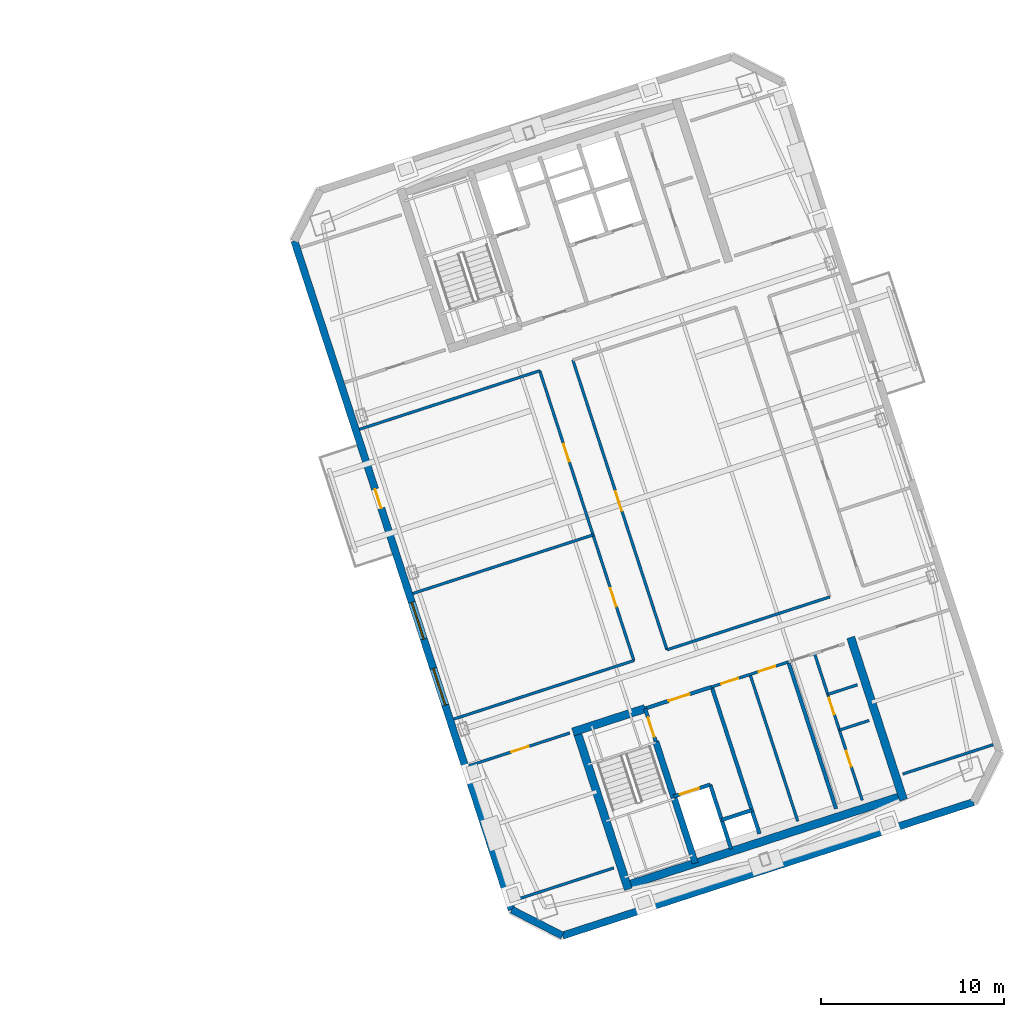
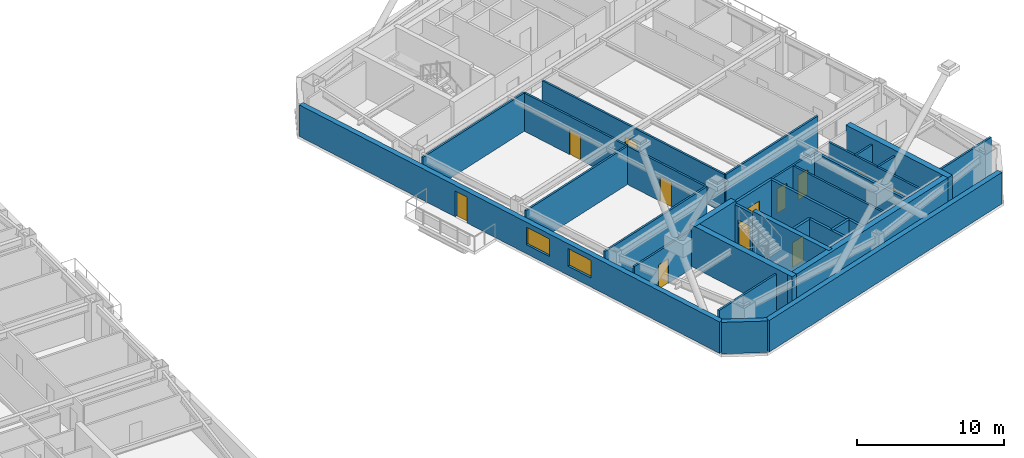
# One storey, part 9 of 16: 29 walls, 12 doors, 2 windows, 14 openings.
"""IFC4 building model written with IfcOpenShell, lengths in metres."""

import ifcopenshell
import ifcopenshell.guid

model = None  # the IFC model being written
_history = None  # IfcOwnerHistory: only IFC2X3 demands one
_inside = {}  # id of a spatial element -> (the spatial element, [elements in it])
_under = {}  # id of a project, library or spatial element -> (it, [spatial elements below it])
_declared = {}  # id of a project -> (the project, [libraries it declares])
_typed = {}  # id of a type object -> (the type object, [elements of that type])
_made_of = {}  # id of a material, layer set ... -> (it, [elements and type objects made of it])


def new_model(schema):
    """Start an empty IFC model of exactly this schema.

    Asked for "IFC4X3", IfcOpenShell would pick the latest addendum, in which some entities
    have other attributes; the version numbers below select the first issue.
    IFC2X3 requires an IfcOwnerHistory on every rooted entity: one is made here for all.
    """
    global model, _history
    if schema == "IFC4X3":
        model = ifcopenshell.file(schema_version=(4, 3, 0, 0))
    else:
        model = ifcopenshell.file(schema=schema)
    _inside.clear()
    _under.clear()
    _declared.clear()
    _typed.clear()
    _made_of.clear()
    _history = None
    if model.schema == "IFC2X3":
        org = make("IfcOrganization", Name="unknown")
        user = make(
            "IfcPersonAndOrganization",
            ThePerson=make("IfcPerson", FamilyName="unknown"),
            TheOrganization=org,
        )
        app = make(
            "IfcApplication",
            ApplicationDeveloper=org,
            Version="unknown",
            ApplicationFullName="unknown",
            ApplicationIdentifier="unknown",
        )
        _history = make(
            "IfcOwnerHistory",
            OwningUser=user,
            OwningApplication=app,
            ChangeAction="ADDED",
            CreationDate=0,
        )
    return model


def make(cls, **values):
    """One entity of the class cls with the attributes given. An attribute that is None is left unset."""
    return model.create_entity(
        cls, **{name: value for name, value in values.items() if value is not None}
    )


def rooted(cls, **values):
    """An entity with a GlobalId (a new one), such as an element, a storey or a relation."""
    return make(cls, GlobalId=ifcopenshell.guid.new(), OwnerHistory=_history, **values)


def si_unit(unit_type, name, prefix=None):
    """IfcSIUnit, for example si_unit("LENGTHUNIT", "METRE", prefix="MILLI")."""
    return make("IfcSIUnit", UnitType=unit_type, Prefix=prefix, Name=name)


def assignment(units):
    """IfcUnitAssignment: the units of a project."""
    return None if units is None else make("IfcUnitAssignment", Units=units)


def point(xyz):
    """IfcCartesianPoint."""
    return None if xyz is None else make("IfcCartesianPoint", Coordinates=xyz)


def direction(xyz):
    """IfcDirection."""
    return None if xyz is None else make("IfcDirection", DirectionRatios=xyz)


def frame(location, z_axis=None, x_axis=None):
    """IfcAxis2Placement3D, a coordinate frame: its origin and axes. An axis left out is left unset."""
    return make(
        "IfcAxis2Placement3D",
        Location=point(location),
        Axis=direction(z_axis),
        RefDirection=direction(x_axis),
    )


def frame_2d(location, x_axis=None):
    """IfcAxis2Placement2D, a coordinate frame in the plane: its origin and x axis."""
    return make(
        "IfcAxis2Placement2D", Location=point(location), RefDirection=direction(x_axis)
    )


def origin():
    """The frame at (0, 0, 0) with its axes left unset."""
    return frame((0.0, 0.0, 0.0))


def place(relative_to, where):
    """IfcLocalPlacement: puts the frame where relative to a parent placement (None: the world)."""
    return make(
        "IfcLocalPlacement", PlacementRelTo=relative_to, RelativePlacement=where
    )


def context(
    kind, dimensions, precision=None, world=None, true_north=None, identifier=None
):
    """IfcGeometricRepresentationContext, for example the 3D "Model" context."""
    return make(
        "IfcGeometricRepresentationContext",
        ContextIdentifier=identifier,
        ContextType=kind,
        CoordinateSpaceDimension=dimensions,
        Precision=precision,
        WorldCoordinateSystem=world,
        TrueNorth=true_north,
    )


def subcontext(parent, identifier, kind, view, scale=None):
    """IfcGeometricRepresentationSubContext, for example "Body" below "Model"."""
    return make(
        "IfcGeometricRepresentationSubContext",
        ContextIdentifier=identifier,
        ContextType=kind,
        ParentContext=parent,
        TargetScale=scale,
        TargetView=view,
    )


def project(units=None, contexts=None):
    """IfcProject with its units and contexts."""
    return rooted(
        "IfcProject",
        Name="project",
        RepresentationContexts=contexts,
        UnitsInContext=assignment(units),
    )


def spatial(cls, under=None, at=None, **own):
    """A site, building, storey or space (cls), placed at a placement, below another one or the project."""
    s = rooted(cls, ObjectPlacement=at, **own)
    if under is not None:
        _under.setdefault(under.id(), (under, []))[1].append(s)
    return s


def profile(cls, at=None, kind="AREA", **sizes):
    """A parametric profile (cls). Its sizes go by their IFC names, for example OverallWidth=200.0."""
    return make(cls, ProfileType=kind, Position=at, **sizes)


def rectangle(**sizes):
    """IfcRectangleProfileDef."""
    return profile("IfcRectangleProfileDef", **sizes)


def extrude(swept, where, along, depth):
    """IfcExtrudedAreaSolid: the profile swept, set in the frame where, extruded along a direction by depth."""
    return make(
        "IfcExtrudedAreaSolid",
        SweptArea=swept,
        Position=where,
        ExtrudedDirection=direction(along),
        Depth=depth,
    )


def shape(context_of_items, identifier, shape_type, items):
    """IfcShapeRepresentation: the items that make up one representation, for example the "Body"."""
    return make(
        "IfcShapeRepresentation",
        ContextOfItems=context_of_items,
        RepresentationIdentifier=identifier,
        RepresentationType=shape_type,
        Items=items,
    )


def material(Name=None, Category=None):
    """IfcMaterial."""
    return make("IfcMaterial", Name=Name, Category=Category)


def layer(
    of_material, thickness, ventilated=None, Name=None, Category=None, Priority=None
):
    """IfcMaterialLayer: one layer of a wall or slab, of a material (None: an air gap)."""
    return make(
        "IfcMaterialLayer",
        Material=of_material,
        LayerThickness=thickness,
        IsVentilated=ventilated,
        Name=Name,
        Category=Category,
        Priority=Priority,
    )


def layer_set(layers, Name=None):
    """IfcMaterialLayerSet."""
    return make("IfcMaterialLayerSet", MaterialLayers=layers, LayerSetName=Name)


def made_of(thing, what):
    """Note that an element or type object is made of a material, layer set ...; save() writes the relation."""
    if what is not None:
        _made_of.setdefault(what.id(), (what, []))[1].append(thing)
    return thing


def type_object(cls, material=None, **own):
    """A type object (cls), such as IfcWallType, which elements share."""
    return made_of(rooted(cls, **own), material)


def element(
    cls,
    number,
    at=None,
    inside=None,
    cuts=None,
    type_object=None,
    material=None,
    context=None,
    identifier="Body",
    shape_type=None,
    held_by="IfcProductDefinitionShape",
    body=None,
    shapes=None,
    **own,
):
    """One element of the class cls, such as IfcWall. Its Tag is "e" and its number.

    at: its placement. inside: the storey or other place that contains it. cuts: it is an
    opening in that element (IfcRelVoidsElement). A single representation is given by context,
    identifier, shape_type and body (its items); several are given by shapes. held_by: the class
    of the entity that holds the representations. save() writes the other relations.
    """
    e = rooted(cls, Tag="e%d" % number, ObjectPlacement=at, **own)
    if body is not None:
        shapes = [shape(context, identifier, shape_type, body)]
    if shapes is not None:
        e.Representation = make(held_by, Representations=shapes)
    if inside is not None:
        _inside.setdefault(inside.id(), (inside, []))[1].append(e)
    if cuts is not None:
        rooted(
            "IfcRelVoidsElement", RelatingBuildingElement=cuts, RelatedOpeningElement=e
        )
    if type_object is not None:
        _typed.setdefault(type_object.id(), (type_object, []))[1].append(e)
    return made_of(e, material)


def fill(opening, filler):
    """IfcRelFillsElement: the door or window that sits in an opening."""
    return rooted(
        "IfcRelFillsElement",
        RelatingOpeningElement=opening,
        RelatedBuildingElement=filler,
    )


def aggregate(whole, parts):
    """IfcRelAggregates: a whole, such as a stair, and the parts it consists of."""
    return rooted("IfcRelAggregates", RelatingObject=whole, RelatedObjects=parts)


def save(model, path):
    """Write the relations noted so far, then the file.

    IfcRelAggregates (storeys below a building ...), IfcRelContainedInSpatialStructure (elements
    in a storey), IfcRelDefinesByType, IfcRelAssociatesMaterial and IfcRelDeclares: one each for
    every whole, place, type object, material and project.
    """
    for whole, parts in _under.values():
        aggregate(whole, parts)
    for where, things in _inside.values():
        rooted(
            "IfcRelContainedInSpatialStructure",
            RelatedElements=things,
            RelatingStructure=where,
        )
    for kind, things in _typed.values():
        rooted("IfcRelDefinesByType", RelatedObjects=things, RelatingType=kind)
    for what, things in _made_of.values():
        rooted("IfcRelAssociatesMaterial", RelatedObjects=things, RelatingMaterial=what)
    for by, libraries in _declared.values():
        rooted("IfcRelDeclares", RelatingContext=by, RelatedDefinitions=libraries)
    model.write(path)


model = new_model("IFC4")

# Units and contexts
model_context = context("Model", 3, precision=1e-05, world=origin(), true_north=direction((0.0, 1.0)))
body_context = subcontext(model_context, "Body", "Model", "MODEL_VIEW")
ifc_project = project(units=[si_unit("LENGTHUNIT", "METRE"), si_unit("AREAUNIT", "SQUARE_METRE"), si_unit("VOLUMEUNIT", "CUBIC_METRE"), si_unit("PLANEANGLEUNIT", "RADIAN"), si_unit("MASSUNIT", "GRAM", prefix="KILO")], contexts=[model_context])

# Site, building, storey
site_placement = place(None, origin())
site = spatial("IfcSite", under=ifc_project, at=site_placement, CompositionType="ELEMENT")
building_placement = place(site_placement, origin())
building = spatial("IfcBuilding", under=site, at=building_placement, Name="Qiaolan Cultural Towers", CompositionType="ELEMENT")
storey_placement = place(building_placement, frame((0.0, 0.0, 198.949951171875)))
storey = spatial("IfcBuildingStorey", under=building, at=storey_placement, Name="L53", CompositionType="ELEMENT", Elevation=198.949951171875)

# Walls
ifc_material_1 = material(Name="Concrete C50", Category="concrete")
ifc_layer_1 = layer(ifc_material_1, 0.35009765625)
ifc_layer_set_1 = layer_set([ifc_layer_1], Name="Concrete C50")
wall_type_1 = type_object("IfcWallType", Name="WL-CORE-350", PredefinedType="SHEAR", material=ifc_layer_set_1)
wall_1_placement = place(storey_placement, frame((90.486328125, 20.59423828125, 0.0), z_axis=(0.0, 0.0, 1.0), x_axis=(0.309020428229, -0.951055400562, 0.0)))
element("IfcWall", 1, at=wall_1_placement, inside=storey, type_object=wall_type_1, Name="L53 T2-CS Stair Core Dividing Web", PredefinedType="SHEAR", context=body_context, shape_type="SweptSolid", body=[
    extrude(rectangle(XDim=6.97998046875, YDim=0.35009765625, at=frame_2d((3.489990234375, 0.0))), origin(), (0.0, 0.0, 1.0), 3.449951171875),
])
ifc_material_2 = material(Name="Concrete C50", Category="concrete")
ifc_layer_2 = layer(ifc_material_2, 0.449951171875)
ifc_layer_set_2 = layer_set([ifc_layer_2], Name="Concrete C50")
wall_type_2 = type_object("IfcWallType", Name="WL-CORE-450", PredefinedType="SHEAR", material=ifc_layer_set_2)
wall_2_placement = place(storey_placement, frame((88.701171875, 12.675048828125, 0.0), z_axis=(0.0, 0.0, 1.0), x_axis=(0.95105824505, 0.309011673763, 0.0)))
element("IfcWall", 2, at=wall_2_placement, inside=storey, type_object=wall_type_2, Name="L53 T2-CS Outer Core Shear Wall", PredefinedType="SHEAR", context=body_context, shape_type="SweptSolid", body=[
    extrude(rectangle(XDim=16.250244140625, YDim=0.449951171875, at=frame_2d((8.125, 0.0))), origin(), (0.0, 0.0, 1.0), 3.449951171875),
])
for number, where, z_axis, x_axis, name in (
    (3, (86.1015625, 21.40380859375, 0.0), (0.0, 0.0, 1.0), (0.309035778627, -0.951050412717, 0.0), "L53 T2-CS West Core Shear Wall"),
    (4, (101.12841796875, 26.286376953125, 0.0), (0.0, 0.0, 1.0), (0.309004419953, -0.951060601881, 0.0), "L53 T2-CS East Core Shear Wall"),
):
    element("IfcWall", number, at=place(storey_placement, frame(where, z_axis=z_axis, x_axis=x_axis)), inside=storey, type_object=wall_type_2, Name=name, PredefinedType="SHEAR", context=body_context, shape_type="SweptSolid", body=[
        extrude(rectangle(XDim=9.330078125, YDim=0.449951171875, at=frame_2d((4.6650390625, 0.0))), origin(), (0.0, 0.0, 1.0), 3.449951171875),
    ])
wall_3_placement = place(storey_placement, frame((85.957275390625, 21.120361328125, 0.0), z_axis=(0.0, 0.0, 1.0), x_axis=(0.951064796122, 0.308991510526, 0.0)))
element("IfcWall", 5, at=wall_3_placement, inside=storey, type_object=wall_type_2, Name="L53 T2-CS Stair Front Shear Wall", PredefinedType="SHEAR", context=body_context, shape_type="SweptSolid", body=[
    extrude(rectangle(XDim=4.14501953125, YDim=0.449951171875, at=frame_2d((2.072509765625, 0.0))), origin(), (0.0, 0.0, 1.0), 3.449951171875),
])

# Wall, openings, door, windows
ifc_material_3 = material(Name="Precast Concrete C50 Honed Stone Pier", Category="masonry")
ifc_layer_3 = layer(ifc_material_3, 0.39990234375)
ifc_layer_set_3 = layer_set([ifc_layer_3], Name="Precast Concrete C50 Honed Stone Pier")
wall_type_3 = type_object("IfcWallType", Name="WL-EXT-PIER-400", PredefinedType="SOLIDWALL", material=ifc_layer_set_3)
wall_4_placement = place(storey_placement, frame((82.618408203125, 11.41357421875, 0.0), z_axis=(0.0, 0.0, 1.0), x_axis=(-0.309016491071, 0.951056679828, 0.0)))
wall_4 = element("IfcWall", 6, at=wall_4_placement, inside=storey, type_object=wall_type_3, Name="L53 East Tower Precast Pier Facade Wall F1", PredefinedType="SOLIDWALL", context=body_context, shape_type="SweptSolid", body=[
    extrude(rectangle(XDim=38.39990234375, YDim=0.39990234375, at=frame_2d((19.199951171875, 0.0))), origin(), (0.0, 0.0, 1.0), 2.610107421875),
])
opening_1_placement = place(wall_4_placement, frame((11.75, 0.0, 0.75)))
opening_1 = element("IfcOpeningElement", 7, at=opening_1_placement, cuts=wall_4, Name="Opening W-05", PredefinedType="OPENING", context=body_context, shape_type="SweptSolid", body=[
    extrude(rectangle(XDim=2.10009765625, YDim=1.4599609375, at=frame_2d((1.050048828125, 0.72998046875))), frame((0.0, 0.2099609375, 0.0), z_axis=(0.0, -1.0, 0.0), x_axis=(1.0, 0.0, 0.0)), (0.0, 0.0, 1.0), 0.419921875),
])
opening_2_placement = place(wall_4_placement, frame((15.550048828125, 0.0, 0.75)))
opening_2 = element("IfcOpeningElement", 8, at=opening_2_placement, cuts=wall_4, Name="Opening W-05", PredefinedType="OPENING", context=body_context, shape_type="SweptSolid", body=[
    extrude(rectangle(XDim=2.10009765625, YDim=1.4599609375, at=frame_2d((1.050048828125, 0.72998046875))), frame((0.0, 0.2099609375, 0.0), z_axis=(0.0, -1.0, 0.0), x_axis=(1.0, 0.0, 0.0)), (0.0, 0.0, 1.0), 0.419921875),
])
opening_3_placement = place(wall_4_placement, frame((23.050048828125, 0.0, 0.0)))
opening_3 = element("IfcOpeningElement", 9, at=opening_3_placement, cuts=wall_4, Name="Opening BD-01", PredefinedType="OPENING", context=body_context, shape_type="SweptSolid", body=[
    extrude(rectangle(XDim=1.10009765625, YDim=2.14990234375, at=frame_2d((0.550048828125, 1.074951171875))), frame((0.0, 0.2099609375, 0.0), z_axis=(0.0, -1.0, 0.0), x_axis=(1.0, 0.0, 0.0)), (0.0, 0.0, 1.0), 0.419921875),
])
ifc_material_4 = material(Name="Thermally Broken Aluminium Glazed Terrace Door", Category="aluminium")
door_type_1 = type_object("IfcDoorType", Name="DR-BAL-1100", OperationType="NOTDEFINED", PredefinedType="DOOR", material=ifc_material_4)
door_1_placement = place(opening_3_placement, origin())
door_1 = element("IfcDoor", 10, at=door_1_placement, inside=storey, type_object=door_type_1, Name="L53 T2 West Tree Balcony Door", OperationType="SINGLE_SWING_LEFT", OverallHeight=2.14990234375, OverallWidth=1.10009765625, PredefinedType="DOOR", context=body_context, shape_type="SweptSolid", body=[
    extrude(rectangle(XDim=1.10009765625, YDim=2.14990234375, at=frame_2d((0.550048828125, 1.074951171875))), frame((0.0, 0.02490234375, 0.0), z_axis=(0.0, -1.0, 0.0), x_axis=(1.0, 0.0, 0.0)), (0.0, 0.0, 1.0), 0.050048828125),
])
fill(opening_3, door_1)
ifc_material_5 = material(Name="Thermally Broken Aluminium Triple Low-E Glazing", Category="aluminium")
window_type = type_object("IfcWindowType", Name="WN-CHIC-2100", PartitioningType="SINGLE_PANEL", PredefinedType="WINDOW", material=ifc_material_5)
window_1_placement = place(opening_1_placement, origin())
window_1 = element("IfcWindow", 11, at=window_1_placement, inside=storey, type_object=window_type, Name="L53 T2 W Chicago Bay Window 1", OverallHeight=1.4599609375, OverallWidth=2.10009765625, PartitioningType="TRIPLE_PANEL_VERTICAL", PredefinedType="WINDOW", context=body_context, shape_type="SweptSolid", body=[
    extrude(rectangle(XDim=2.10009765625, YDim=1.4599609375, at=frame_2d((1.050048828125, 0.72998046875))), frame((0.0, 0.030029296875, 0.0), z_axis=(0.0, -1.0, 0.0), x_axis=(1.0, 0.0, 0.0)), (0.0, 0.0, 1.0), 0.06005859375),
])
fill(opening_1, window_1)
window_2_placement = place(opening_2_placement, origin())
window_2 = element("IfcWindow", 12, at=window_2_placement, inside=storey, type_object=window_type, Name="L53 T2 W Chicago Bay Window 2", OverallHeight=1.4599609375, OverallWidth=2.10009765625, PartitioningType="TRIPLE_PANEL_VERTICAL", PredefinedType="WINDOW", context=body_context, shape_type="SweptSolid", body=[
    extrude(rectangle(XDim=2.10009765625, YDim=1.4599609375, at=frame_2d((1.050048828125, 0.72998046875))), frame((0.0, 0.030029296875, 0.0), z_axis=(0.0, -1.0, 0.0), x_axis=(1.0, 0.0, 0.0)), (0.0, 0.0, 1.0), 0.06005859375),
])
fill(opening_2, window_2)

# Walls
wall_5_placement = place(storey_placement, frame((107.83544921875, 17.293701171875, 0.0), z_axis=(0.0, 0.0, 1.0), x_axis=(-0.951058012937, -0.309012388148, 0.0)))
element("IfcWall", 13, at=wall_5_placement, inside=storey, type_object=wall_type_3, Name="L53 East Tower Precast Pier Facade Wall F7", PredefinedType="SOLIDWALL", context=body_context, shape_type="SweptSolid", body=[
    extrude(rectangle(XDim=23.60009765625, YDim=0.39990234375, at=frame_2d((11.800048828125, 0.0))), origin(), (0.0, 0.0, 1.0), 2.610107421875),
])
wall_6_placement = place(storey_placement, frame((85.390380859375, 10.0009765625, 0.0), z_axis=(0.0, 0.0, 1.0), x_axis=(-0.890979603174, 0.454043331334, 0.0)))
element("IfcWall", 14, at=wall_6_placement, inside=storey, type_object=wall_type_3, Name="L53 East Tower Precast Pier Facade Wall F8", PredefinedType="SOLIDWALL", context=body_context, shape_type="SweptSolid", body=[
    extrude(rectangle(XDim=3.111083984375, YDim=0.39990234375, at=frame_2d((1.5556640625, 0.0))), origin(), (0.0, 0.0, 1.0), 2.610107421875),
])

# Wall, opening, door
ifc_material_6 = material(Name="Concrete C35 Fire Wall", Category="concrete")
ifc_layer_4 = layer(ifc_material_6, 0.199951171875)
ifc_layer_set_4 = layer_set([ifc_layer_4], Name="Concrete C35 Fire Wall")
wall_type_4 = type_object("IfcWallType", Name="WL-FIRE-200", PredefinedType="PARTITIONING", material=ifc_layer_set_4)
wall_7_placement = place(storey_placement, frame((89.8994140625, 22.401123046875, 0.0), z_axis=(0.0, 0.0, 1.0), x_axis=(0.308932062672, -0.951084108086, 0.0)))
wall_7 = element("IfcWall", 15, at=wall_7_placement, inside=storey, type_object=wall_type_4, Name="L53 T2-CS Smokeproof Stair Entry Wall", PredefinedType="PARTITIONING", context=body_context, shape_type="SweptSolid", body=[
    extrude(rectangle(XDim=1.89990234375, YDim=0.199951171875, at=frame_2d((0.949951171875, 0.0))), origin(), (0.0, 0.0, 1.0), 3.175048828125),
])
opening_4_placement = place(wall_7_placement, frame((0.52001953125, 0.0, 0.0)))
opening_4 = element("IfcOpeningElement", 16, at=opening_4_placement, cuts=wall_7, Name="Opening FD-04", PredefinedType="OPENING", context=body_context, shape_type="SweptSolid", body=[
    extrude(rectangle(XDim=1.10009765625, YDim=2.050048828125, at=frame_2d((0.550048828125, 1.02490234375))), frame((0.0, 0.10986328125, 0.0), z_axis=(0.0, -1.0, 0.0), x_axis=(1.0, 0.0, 0.0)), (0.0, 0.0, 1.0), 0.219970703125),
])
ifc_material_7 = material(Name="Galvanized Steel Command Fire Door", Category="steel")
door_type_2 = type_object("IfcDoorType", Name="DR-FD90-1100", OperationType="NOTDEFINED", PredefinedType="DOOR", material=ifc_material_7)
door_2_placement = place(opening_4_placement, origin())
door_2 = element("IfcDoor", 17, at=door_2_placement, inside=storey, type_object=door_type_2, Name="L53 ST-E1 Smokeproof Stair Fire Door", OperationType="SINGLE_SWING_LEFT", OverallHeight=2.050048828125, OverallWidth=1.10009765625, PredefinedType="DOOR", context=body_context, shape_type="SweptSolid", body=[
    extrude(rectangle(XDim=1.10009765625, YDim=2.050048828125, at=frame_2d((0.550048828125, 1.02490234375))), frame((0.0, 0.02490234375, 0.0), z_axis=(0.0, -1.0, 0.0), x_axis=(1.0, 0.0, 0.0)), (0.0, 0.0, 1.0), 0.050048828125),
])
fill(opening_4, door_2)

# Wall
wall_8_placement = place(storey_placement, frame((93.541748046875, 23.584716796875, 0.0), z_axis=(0.0, 0.0, 1.0), x_axis=(0.309042196757, -0.951048327176, 0.0)))
element("IfcWall", 18, at=wall_8_placement, inside=storey, type_object=wall_type_4, Name="L53 T2-CS Firefighting Zone Wall", PredefinedType="PARTITIONING", context=body_context, shape_type="SweptSolid", body=[
    extrude(rectangle(XDim=8.429931640625, YDim=0.199951171875, at=frame_2d((4.21484375, 0.0))), origin(), (0.0, 0.0, 1.0), 3.175048828125),
])

# Wall, opening, door
wall_9_placement = place(storey_placement, frame((89.8994140625, 22.401123046875, 0.0), z_axis=(0.0, 0.0, 1.0), x_axis=(0.951046716504, 0.309047153403, 0.0)))
wall_9 = element("IfcWall", 19, at=wall_9_placement, inside=storey, type_object=wall_type_4, Name="L53 T2-CS Firefighting Lobby Front Wall", PredefinedType="PARTITIONING", context=body_context, shape_type="SweptSolid", body=[
    extrude(rectangle(XDim=3.829833984375, YDim=0.199951171875, at=frame_2d((1.9150390625, 0.0))), origin(), (0.0, 0.0, 1.0), 3.175048828125),
])
opening_5_placement = place(wall_9_placement, frame((1.35009765625, 0.0, 0.0)))
opening_5 = element("IfcOpeningElement", 20, at=opening_5_placement, cuts=wall_9, Name="Opening FD-03", PredefinedType="OPENING", context=body_context, shape_type="SweptSolid", body=[
    extrude(rectangle(XDim=1.199951171875, YDim=2.050048828125, at=frame_2d((0.60009765625, 1.02490234375))), frame((0.0, 0.10986328125, 0.0), z_axis=(0.0, -1.0, 0.0), x_axis=(1.0, 0.0, 0.0)), (0.0, 0.0, 1.0), 0.219970703125),
])
ifc_material_8 = material(Name="Galvanized Steel Smokeproof Lobby Fire Door", Category="steel")
door_type_3 = type_object("IfcDoorType", Name="DR-FD90-1200", OperationType="NOTDEFINED", PredefinedType="DOOR", material=ifc_material_8)
door_3_placement = place(opening_5_placement, origin())
door_3 = element("IfcDoor", 21, at=door_3_placement, inside=storey, type_object=door_type_3, Name="L53 FFL-E1 Firefighting Lobby Fire Door", OperationType="SINGLE_SWING_LEFT", OverallHeight=2.050048828125, OverallWidth=1.199951171875, PredefinedType="DOOR", context=body_context, shape_type="SweptSolid", body=[
    extrude(rectangle(XDim=1.199951171875, YDim=2.050048828125, at=frame_2d((0.60009765625, 1.02490234375))), frame((0.0, 0.02490234375, 0.0), z_axis=(0.0, -1.0, 0.0), x_axis=(1.0, 0.0, 0.0)), (0.0, 0.0, 1.0), 0.050048828125),
])
fill(opening_5, door_3)

wall_10_placement = place(storey_placement, frame((91.459716796875, 17.598388671875, 0.0), z_axis=(0.0, 0.0, 1.0), x_axis=(0.951062257173, 0.308999325213, 0.0)))
wall_10 = element("IfcWall", 22, at=wall_10_placement, inside=storey, type_object=wall_type_4, Name="L53 T2-CS Firefighting Shaft Front Wall", PredefinedType="PARTITIONING", context=body_context, shape_type="SweptSolid", body=[
    extrude(rectangle(XDim=2.10009765625, YDim=0.199951171875, at=frame_2d((1.050048828125, 0.0))), origin(), (0.0, 0.0, 1.0), 3.175048828125),
])
opening_6_placement = place(wall_10_placement, frame((0.35009765625, 0.0, 0.0)))
opening_6 = element("IfcOpeningElement", 23, at=opening_6_placement, cuts=wall_10, Name="Opening LD-01", PredefinedType="OPENING", context=body_context, shape_type="SweptSolid", body=[
    extrude(rectangle(XDim=1.10009765625, YDim=2.050048828125, at=frame_2d((0.550048828125, 1.02490234375))), frame((0.0, 0.10986328125, 0.0), z_axis=(0.0, -1.0, 0.0), x_axis=(1.0, 0.0, 0.0)), (0.0, 0.0, 1.0), 0.219970703125),
])
ifc_material_9 = material(Name="Brushed Stainless Steel S30408 Centre-Parting Lift Landing Door", Category="steel")
door_type_4 = type_object("IfcDoorType", Name="DR-LIFT-1100", OperationType="NOTDEFINED", PredefinedType="DOOR", material=ifc_material_9)
door_4_placement = place(opening_6_placement, origin())
door_4 = element("IfcDoor", 24, at=door_4_placement, inside=storey, type_object=door_type_4, Name="L53 FFL-E1 Firefighting Lift Landing Door", OperationType="DOUBLE_DOOR_SLIDING", OverallHeight=2.050048828125, OverallWidth=1.10009765625, PredefinedType="DOOR", context=body_context, shape_type="SweptSolid", body=[
    extrude(rectangle(XDim=1.10009765625, YDim=2.050048828125, at=frame_2d((0.550048828125, 1.02490234375))), frame((0.0, 0.02490234375, 0.0), z_axis=(0.0, -1.0, 0.0), x_axis=(1.0, 0.0, 0.0)), (0.0, 0.0, 1.0), 0.050048828125),
])
fill(opening_6, door_4)

# Walls
wall_11_placement = place(storey_placement, frame((93.45703125, 18.247314453125, 0.0), z_axis=(0.0, 0.0, 1.0), x_axis=(0.3089935693, -0.951064127245, 0.0)))
element("IfcWall", 25, at=wall_11_placement, inside=storey, type_object=wall_type_4, Name="L53 T2-CS Firefighting Hoistway East Wall", PredefinedType="PARTITIONING", context=body_context, shape_type="SweptSolid", body=[
    extrude(rectangle(XDim=3.7001953125, YDim=0.199951171875, at=frame_2d((1.85009765625, 0.0))), origin(), (0.0, 0.0, 1.0), 3.175048828125),
])
wall_12_placement = place(storey_placement, frame((94.08447265625, 16.316650390625, 0.0), z_axis=(0.0, 0.0, 1.0), x_axis=(0.951041328149, 0.309063734775, 0.0)))
element("IfcWall", 26, at=wall_12_placement, inside=storey, type_object=wall_type_4, Name="L53 T2-CS Pressurization Shaft Front Wall", PredefinedType="PARTITIONING", context=body_context, shape_type="SweptSolid", body=[
    extrude(rectangle(XDim=1.72998046875, YDim=0.199951171875, at=frame_2d((0.864990234375, 0.0))), origin(), (0.0, 0.0, 1.0), 3.175048828125),
])
wall_13_placement = place(storey_placement, frame((97.7265625, 24.9443359375, 0.0), z_axis=(0.0, 0.0, 1.0), x_axis=(0.309016001439, -0.951056838919, 0.0)))
element("IfcWall", 27, at=wall_13_placement, inside=storey, type_object=wall_type_4, Name="L53 T2-CS Lift Core East Wall", PredefinedType="PARTITIONING", context=body_context, shape_type="SweptSolid", body=[
    extrude(rectangle(XDim=8.429931640625, YDim=0.199951171875, at=frame_2d((4.21484375, 0.0))), origin(), (0.0, 0.0, 1.0), 3.175048828125),
])

# Wall, openings, doors
ifc_material_10 = material(Name="Autoclaved Aerated Concrete Block B06", Category="concrete")
ifc_layer_5 = layer(ifc_material_10, 0.14990234375)
ifc_layer_set_5 = layer_set([ifc_layer_5], Name="Autoclaved Aerated Concrete Block B06")
wall_type_5 = type_object("IfcWallType", Name="WL-PART-150", PredefinedType="PARTITIONING", material=ifc_layer_set_5)
wall_14_placement = place(storey_placement, frame((93.541748046875, 23.584716796875, 0.0), z_axis=(0.0, 0.0, 1.0), x_axis=(0.951063829732, 0.308994485023, 0.0)))
wall_14 = element("IfcWall", 28, at=wall_14_placement, inside=storey, type_object=wall_type_5, Name="L53 T2-CS Reclaimed Core Room Front Wall", PredefinedType="PARTITIONING", context=body_context, shape_type="SweptSolid", body=[
    extrude(rectangle(XDim=4.400146484375, YDim=0.14990234375, at=frame_2d((2.2001953125, 0.0))), origin(), (0.0, 0.0, 1.0), 3.175048828125),
])
opening_7_placement = place(wall_14_placement, frame((0.550048828125, 0.0, 0.0)))
opening_7 = element("IfcOpeningElement", 29, at=opening_7_placement, cuts=wall_14, Name="Opening ID-05", PredefinedType="OPENING", context=body_context, shape_type="SweptSolid", body=[
    extrude(rectangle(XDim=0.949951171875, YDim=2.050048828125, at=frame_2d((0.47509765625, 1.02490234375))), frame((0.0, 0.0849609375, 0.0), z_axis=(0.0, -1.0, 0.0), x_axis=(1.0, 0.0, 0.0)), (0.0, 0.0, 1.0), 0.169921875),
])
opening_8_placement = place(wall_14_placement, frame((2.699951171875, 0.0, 0.0)))
opening_8 = element("IfcOpeningElement", 30, at=opening_8_placement, cuts=wall_14, Name="Opening ID-05", PredefinedType="OPENING", context=body_context, shape_type="SweptSolid", body=[
    extrude(rectangle(XDim=0.949951171875, YDim=2.050048828125, at=frame_2d((0.47509765625, 1.02490234375))), frame((0.0, 0.0849609375, 0.0), z_axis=(0.0, -1.0, 0.0), x_axis=(1.0, 0.0, 0.0)), (0.0, 0.0, 1.0), 0.169921875),
])
ifc_material_11 = material(Name="Fire-Rated Laminate Accessible Core Door", Category="timber")
door_type_5 = type_object("IfcDoorType", Name="DR-INT-950", OperationType="NOTDEFINED", PredefinedType="DOOR", material=ifc_material_11)
door_5_placement = place(opening_7_placement, origin())
door_5 = element("IfcDoor", 31, at=door_5_placement, inside=storey, type_object=door_type_5, Name="L53 Copy Print Room Door", OperationType="SINGLE_SWING_LEFT", OverallHeight=2.050048828125, OverallWidth=0.949951171875, PredefinedType="DOOR", context=body_context, shape_type="SweptSolid", body=[
    extrude(rectangle(XDim=0.949951171875, YDim=2.050048828125, at=frame_2d((0.47509765625, 1.02490234375))), frame((0.0, 0.02490234375, 0.0), z_axis=(0.0, -1.0, 0.0), x_axis=(1.0, 0.0, 0.0)), (0.0, 0.0, 1.0), 0.050048828125),
])
fill(opening_7, door_5)
door_6_placement = place(opening_8_placement, origin())
door_6 = element("IfcDoor", 32, at=door_6_placement, inside=storey, type_object=door_type_5, Name="L53 Tea Pantry Room Door", OperationType="SINGLE_SWING_RIGHT", OverallHeight=2.050048828125, OverallWidth=0.949951171875, PredefinedType="DOOR", context=body_context, shape_type="SweptSolid", body=[
    extrude(rectangle(XDim=0.949951171875, YDim=2.050048828125, at=frame_2d((0.47509765625, 1.02490234375))), frame((0.0, 0.02490234375, 0.0), z_axis=(0.0, -1.0, 0.0), x_axis=(1.0, 0.0, 0.0)), (0.0, 0.0, 1.0), 0.050048828125),
])
fill(opening_8, door_6)

# Wall
wall_15_placement = place(storey_placement, frame((95.63427734375, 24.2646484375, 0.0), z_axis=(0.0, 0.0, 1.0), x_axis=(0.309007490203, -0.951059604335, 0.0)))
element("IfcWall", 33, at=wall_15_placement, inside=storey, type_object=wall_type_5, Name="L53 T2-CS Reclaimed Twin Room Wall", PredefinedType="PARTITIONING", context=body_context, shape_type="SweptSolid", body=[
    extrude(rectangle(XDim=8.43017578125, YDim=0.14990234375, at=frame_2d((4.215087890625, 0.0))), origin(), (0.0, 0.0, 1.0), 3.175048828125),
])

# Wall, openings, doors
wall_16_placement = place(storey_placement, frame((99.153076171875, 25.407958984375, 0.0), z_axis=(0.0, 0.0, 1.0), x_axis=(0.309016001439, -0.951056838919, 0.0)))
wall_16 = element("IfcWall", 34, at=wall_16_placement, inside=storey, type_object=wall_type_5, Name="L53 T2-CS Sanitary Corridor Wall", PredefinedType="PARTITIONING", context=body_context, shape_type="SweptSolid", body=[
    extrude(rectangle(XDim=8.429931640625, YDim=0.14990234375, at=frame_2d((4.21484375, 0.0))), origin(), (0.0, 0.0, 1.0), 3.175048828125),
])
opening_9_placement = place(wall_16_placement, frame((2.550048828125, 0.0, 0.0)))
opening_9 = element("IfcOpeningElement", 35, at=opening_9_placement, cuts=wall_16, Name="Opening ID-05", PredefinedType="OPENING", context=body_context, shape_type="SweptSolid", body=[
    extrude(rectangle(XDim=0.949951171875, YDim=2.050048828125, at=frame_2d((0.47509765625, 1.02490234375))), frame((0.0, 0.0849609375, 0.0), z_axis=(0.0, -1.0, 0.0), x_axis=(1.0, 0.0, 0.0)), (0.0, 0.0, 1.0), 0.169921875),
])
opening_10_placement = place(wall_16_placement, frame((5.60009765625, 0.0, 0.0)))
opening_10 = element("IfcOpeningElement", 36, at=opening_10_placement, cuts=wall_16, Name="Opening ID-06", PredefinedType="OPENING", context=body_context, shape_type="SweptSolid", body=[
    extrude(rectangle(XDim=0.89990234375, YDim=2.050048828125, at=frame_2d((0.449951171875, 1.02490234375))), frame((0.0, 0.0849609375, 0.0), z_axis=(0.0, -1.0, 0.0), x_axis=(1.0, 0.0, 0.0)), (0.0, 0.0, 1.0), 0.169921875),
])
ifc_material_12 = material(Name="Fire-Rated Laminate Core Service Door", Category="timber")
door_type_6 = type_object("IfcDoorType", Name="DR-INT-900", OperationType="NOTDEFINED", PredefinedType="DOOR", material=ifc_material_12)
door_7_placement = place(opening_10_placement, origin())
door_7 = element("IfcDoor", 37, at=door_7_placement, inside=storey, type_object=door_type_6, Name="L53 Staff Restroom Door", OperationType="SINGLE_SWING_RIGHT", OverallHeight=2.050048828125, OverallWidth=0.89990234375, PredefinedType="DOOR", context=body_context, shape_type="SweptSolid", body=[
    extrude(rectangle(XDim=0.89990234375, YDim=2.050048828125, at=frame_2d((0.449951171875, 1.02490234375))), frame((0.0, 0.02490234375, 0.0), z_axis=(0.0, -1.0, 0.0), x_axis=(1.0, 0.0, 0.0)), (0.0, 0.0, 1.0), 0.050048828125),
])
fill(opening_10, door_7)
door_8_placement = place(opening_9_placement, origin())
door_8 = element("IfcDoor", 38, at=door_8_placement, inside=storey, type_object=door_type_5, Name="L53 Accessible Washroom Door", OperationType="SINGLE_SWING_LEFT", OverallHeight=2.050048828125, OverallWidth=0.949951171875, PredefinedType="DOOR", context=body_context, shape_type="SweptSolid", body=[
    extrude(rectangle(XDim=0.949951171875, YDim=2.050048828125, at=frame_2d((0.47509765625, 1.02490234375))), frame((0.0, 0.02490234375, 0.0), z_axis=(0.0, -1.0, 0.0), x_axis=(1.0, 0.0, 0.0)), (0.0, 0.0, 1.0), 0.050048828125),
])
fill(opening_9, door_8)

# Walls
for number, where, z_axis, x_axis, name in (
    (39, (100.5126953125, 21.223388671875, 0.0), (0.0, 0.0, 1.0), (0.951096313471, 0.308894484414, 0.0), "L53 T2-CS Restroom Split Wall"),
    (40, (99.879150390625, 23.1728515625, 0.0), (0.0, 0.0, 1.0), (0.951054116971, 0.309024378638, 0.0), "L53 T2-CS Core Pantry Wall"),
):
    element("IfcWall", number, at=place(storey_placement, frame(where, z_axis=z_axis, x_axis=x_axis)), inside=storey, type_object=wall_type_5, Name=name, PredefinedType="PARTITIONING", context=body_context, shape_type="SweptSolid", body=[
        extrude(rectangle(XDim=1.7001953125, YDim=0.14990234375, at=frame_2d((0.85009765625, 0.0))), origin(), (0.0, 0.0, 1.0), 3.175048828125),
    ])
wall_17_placement = place(storey_placement, frame((82.66943359375, 11.9033203125, 0.0), z_axis=(0.0, 0.0, 1.0), x_axis=(0.951059431056, 0.309008023519, 0.0)))
element("IfcWall", 41, at=wall_17_placement, inside=storey, type_object=wall_type_5, Name="L53 T2 Flank Wall FLK-SW", PredefinedType="PARTITIONING", context=body_context, shape_type="SweptSolid", body=[
    extrude(rectangle(XDim=5.800048828125, YDim=0.14990234375, at=frame_2d((2.89990234375, 0.0))), origin(), (0.0, 0.0, 1.0), 3.175048828125),
])

# Wall, opening, door
wall_18_placement = place(storey_placement, frame((80.274658203125, 19.27392578125, 0.0), z_axis=(0.0, 0.0, 1.0), x_axis=(0.951059431056, 0.309008023519, 0.0)))
wall_18 = element("IfcWall", 42, at=wall_18_placement, inside=storey, type_object=wall_type_5, Name="L53 T2 Flank Front FLK-SW", PredefinedType="PARTITIONING", context=body_context, shape_type="SweptSolid", body=[
    extrude(rectangle(XDim=5.800048828125, YDim=0.14990234375, at=frame_2d((2.89990234375, 0.0))), origin(), (0.0, 0.0, 1.0), 3.175048828125),
])
opening_11_placement = place(wall_18_placement, frame((2.43603515625, 0.0, 0.0)))
opening_11 = element("IfcOpeningElement", 43, at=opening_11_placement, cuts=wall_18, Name="Opening ID-04", PredefinedType="OPENING", context=body_context, shape_type="SweptSolid", body=[
    extrude(rectangle(XDim=1.0, YDim=2.050048828125, at=frame_2d((0.5, 1.02490234375))), frame((0.0, 0.0849609375, 0.0), z_axis=(0.0, -1.0, 0.0), x_axis=(1.0, 0.0, 0.0)), (0.0, 0.0, 1.0), 0.169921875),
])
ifc_material_13 = material(Name="Oak Veneer Acoustic Office Door", Category="timber")
door_type_7 = type_object("IfcDoorType", Name="DR-INT-1000", OperationType="NOTDEFINED", PredefinedType="DOOR", material=ifc_material_13)
door_9_placement = place(opening_11_placement, origin())
door_9 = element("IfcDoor", 44, at=door_9_placement, inside=storey, type_object=door_type_7, Name="L53 T2 Corner Studio Door", OperationType="SINGLE_SWING_LEFT", OverallHeight=2.050048828125, OverallWidth=1.0, PredefinedType="DOOR", context=body_context, shape_type="SweptSolid", body=[
    extrude(rectangle(XDim=1.0, YDim=2.050048828125, at=frame_2d((0.5, 1.02490234375))), frame((0.0, 0.02490234375, 0.0), z_axis=(0.0, -1.0, 0.0), x_axis=(1.0, 0.0, 0.0)), (0.0, 0.0, 1.0), 0.050048828125),
])
fill(opening_11, door_9)

# Walls
wall_19_placement = place(storey_placement, frame((103.97314453125, 18.8251953125, 0.0), z_axis=(0.0, 0.0, 1.0), x_axis=(0.951055112834, 0.309021313752, 0.0)))
element("IfcWall", 45, at=wall_19_placement, inside=storey, type_object=wall_type_5, Name="L53 T2 Flank Wall FLK-SE", PredefinedType="PARTITIONING", context=body_context, shape_type="SweptSolid", body=[
    extrude(rectangle(XDim=5.2001953125, YDim=0.14990234375, at=frame_2d((2.60009765625, 0.0))), origin(), (0.0, 0.0, 1.0), 3.175048828125),
])
wall_20_placement = place(storey_placement, frame((79.446533203125, 21.82275390625, 0.0), z_axis=(0.0, 0.0, 1.0), x_axis=(0.951057294912, 0.309014598029, 0.0)))
element("IfcWall", 46, at=wall_20_placement, inside=storey, type_object=wall_type_5, Name="L53 T2 Interior Wall", PredefinedType="PARTITIONING", context=body_context, shape_type="SweptSolid", body=[
    extrude(rectangle(XDim=10.349853515625, YDim=0.14990234375, at=frame_2d((5.1748046875, 0.0))), origin(), (0.0, 0.0, 1.0), 3.175048828125),
])
wall_21_placement = place(storey_placement, frame((91.096923828125, 25.608154296875, 0.0), z_axis=(0.0, 0.0, 1.0), x_axis=(0.951053063704, 0.309027620156, 0.0)))
element("IfcWall", 47, at=wall_21_placement, inside=storey, type_object=wall_type_5, Name="L53 T2 Interior Wall", PredefinedType="PARTITIONING", context=body_context, shape_type="SweptSolid", body=[
    extrude(rectangle(XDim=9.35009765625, YDim=0.14990234375, at=frame_2d((4.675048828125, 0.0))), origin(), (0.0, 0.0, 1.0), 3.175048828125),
])
wall_22_placement = place(storey_placement, frame((74.304443359375, 37.6484375, 0.0), z_axis=(0.0, 0.0, 1.0), x_axis=(0.951059547341, 0.309007665621, 0.0)))
element("IfcWall", 48, at=wall_22_placement, inside=storey, type_object=wall_type_5, Name="L53 T2 Interior Wall", PredefinedType="PARTITIONING", context=body_context, shape_type="SweptSolid", body=[
    extrude(rectangle(XDim=10.35009765625, YDim=0.14990234375, at=frame_2d((5.175048828125, 0.0))), origin(), (0.0, 0.0, 1.0), 3.175048828125),
])

# Wall, openings, doors
wall_23_placement = place(storey_placement, frame((89.289794921875, 25.02099609375, 0.0), z_axis=(0.0, 0.0, 1.0), x_axis=(-0.309004459387, 0.951060589068, 0.0)))
wall_23 = element("IfcWall", 49, at=wall_23_placement, inside=storey, type_object=wall_type_5, Name="L53 T2 Interior Wall", PredefinedType="PARTITIONING", context=body_context, shape_type="SweptSolid", body=[
    extrude(rectangle(XDim=16.64013671875, YDim=0.14990234375, at=frame_2d((8.320068359375, 0.0))), origin(), (0.0, 0.0, 1.0), 3.175048828125),
])
opening_12_placement = place(wall_23_placement, frame((3.10693359375, 0.0, 0.0)))
opening_12 = element("IfcOpeningElement", 50, at=opening_12_placement, cuts=wall_23, Name="Opening ID-07", PredefinedType="OPENING", context=body_context, shape_type="SweptSolid", body=[
    extrude(rectangle(XDim=1.050048828125, YDim=2.050048828125, at=frame_2d((0.52490234375, 1.02490234375))), frame((0.0, 0.0849609375, 0.0), z_axis=(0.0, -1.0, 0.0), x_axis=(1.0, 0.0, 0.0)), (0.0, 0.0, 1.0), 0.169921875),
])
opening_13_placement = place(wall_23_placement, frame((11.427001953125, 0.0, 0.0)))
opening_13 = element("IfcOpeningElement", 51, at=opening_13_placement, cuts=wall_23, Name="Opening ID-04", PredefinedType="OPENING", context=body_context, shape_type="SweptSolid", body=[
    extrude(rectangle(XDim=1.0, YDim=2.050048828125, at=frame_2d((0.5, 1.02490234375))), frame((0.0, 0.0849609375, 0.0), z_axis=(0.0, -1.0, 0.0), x_axis=(1.0, 0.0, 0.0)), (0.0, 0.0, 1.0), 0.169921875),
])
door_10_placement = place(opening_13_placement, origin())
door_10 = element("IfcDoor", 52, at=door_10_placement, inside=storey, type_object=door_type_7, Name="L53 T2 Forum Green Lounge Door", OperationType="SINGLE_SWING_RIGHT", OverallHeight=2.050048828125, OverallWidth=1.0, PredefinedType="DOOR", context=body_context, shape_type="SweptSolid", body=[
    extrude(rectangle(XDim=1.0, YDim=2.050048828125, at=frame_2d((0.5, 1.02490234375))), frame((0.0, 0.02490234375, 0.0), z_axis=(0.0, -1.0, 0.0), x_axis=(1.0, 0.0, 0.0)), (0.0, 0.0, 1.0), 0.050048828125),
])
fill(opening_13, door_10)
ifc_material_14 = material(Name="Oak Veneer Consultation Door", Category="timber")
door_type_8 = type_object("IfcDoorType", Name="DR-INT-1050", OperationType="NOTDEFINED", PredefinedType="DOOR", material=ifc_material_14)
door_11_placement = place(opening_12_placement, origin())
door_11 = element("IfcDoor", 53, at=door_11_placement, inside=storey, type_object=door_type_8, Name="L53 T2 Grand Cultural Forum Hall Door", OperationType="SINGLE_SWING_LEFT", OverallHeight=2.050048828125, OverallWidth=1.050048828125, PredefinedType="DOOR", context=body_context, shape_type="SweptSolid", body=[
    extrude(rectangle(XDim=1.050048828125, YDim=2.050048828125, at=frame_2d((0.52490234375, 1.02490234375))), frame((0.0, 0.02490234375, 0.0), z_axis=(0.0, -1.0, 0.0), x_axis=(1.0, 0.0, 0.0)), (0.0, 0.0, 1.0), 0.050048828125),
])
fill(opening_12, door_11)

# Wall, opening, door
wall_24_placement = place(storey_placement, frame((91.096923828125, 25.608154296875, 0.0), z_axis=(0.0, 0.0, 1.0), x_axis=(-0.30901773025, 0.951056277195, 0.0)))
wall_24 = element("IfcWall", 54, at=wall_24_placement, inside=storey, type_object=wall_type_5, Name="L53 T2 Interior Wall", PredefinedType="PARTITIONING", context=body_context, shape_type="SweptSolid", body=[
    extrude(rectangle(XDim=16.64013671875, YDim=0.14990234375, at=frame_2d((8.320068359375, 0.0))), origin(), (0.0, 0.0, 1.0), 3.175048828125),
])
opening_14_placement = place(wall_24_placement, frame((7.9873046875, 0.0, 0.0)))
opening_14 = element("IfcOpeningElement", 55, at=opening_14_placement, cuts=wall_24, Name="Opening ID-03", PredefinedType="OPENING", context=body_context, shape_type="SweptSolid", body=[
    extrude(rectangle(XDim=1.10009765625, YDim=2.050048828125, at=frame_2d((0.550048828125, 1.02490234375))), frame((0.0, 0.0849609375, 0.0), z_axis=(0.0, -1.0, 0.0), x_axis=(1.0, 0.0, 0.0)), (0.0, 0.0, 1.0), 0.169921875),
])
ifc_material_15 = material(Name="Oak Veneer Solid-Core Boardroom Door", Category="timber")
door_type_9 = type_object("IfcDoorType", Name="DR-INT-1100", OperationType="NOTDEFINED", PredefinedType="DOOR", material=ifc_material_15)
door_12_placement = place(opening_14_placement, origin())
door_12 = element("IfcDoor", 56, at=door_12_placement, inside=storey, type_object=door_type_9, Name="L53 T2 Central Colloquium Hall Door", OperationType="SINGLE_SWING_LEFT", OverallHeight=2.050048828125, OverallWidth=1.10009765625, PredefinedType="DOOR", context=body_context, shape_type="SweptSolid", body=[
    extrude(rectangle(XDim=1.10009765625, YDim=2.050048828125, at=frame_2d((0.550048828125, 1.02490234375))), frame((0.0, 0.02490234375, 0.0), z_axis=(0.0, -1.0, 0.0), x_axis=(1.0, 0.0, 0.0)), (0.0, 0.0, 1.0), 0.050048828125),
])
fill(opening_14, door_12)

# Wall
wall_25_placement = place(storey_placement, frame((77.21728515625, 28.68359375, 0.0), z_axis=(0.0, 0.0, 1.0), x_axis=(0.951059547341, 0.309007665621, 0.0)))
element("IfcWall", 57, at=wall_25_placement, inside=storey, type_object=wall_type_5, Name="L53 T2 Interior Wall", PredefinedType="PARTITIONING", context=body_context, shape_type="SweptSolid", body=[
    extrude(rectangle(XDim=10.35009765625, YDim=0.14990234375, at=frame_2d((5.175048828125, 0.0))), origin(), (0.0, 0.0, 1.0), 3.175048828125),
])

save(model, "model.ifc")
